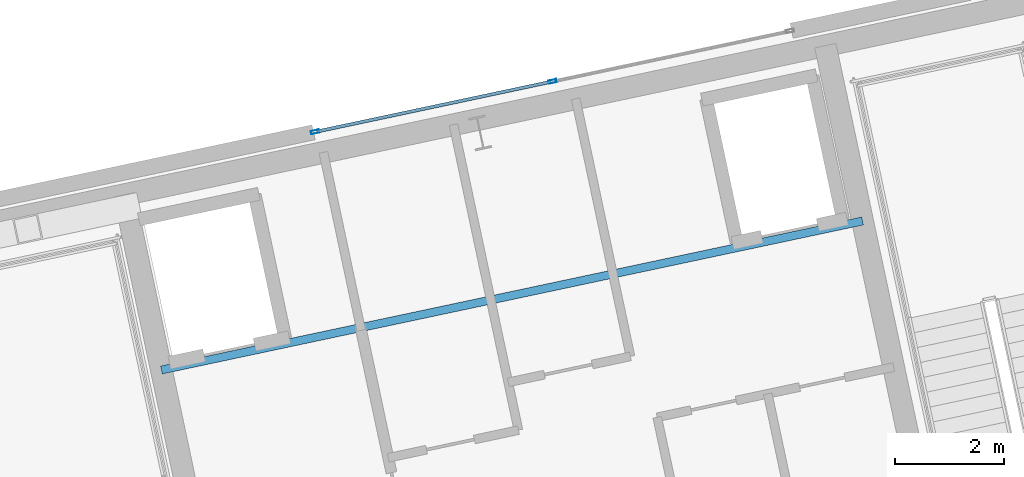
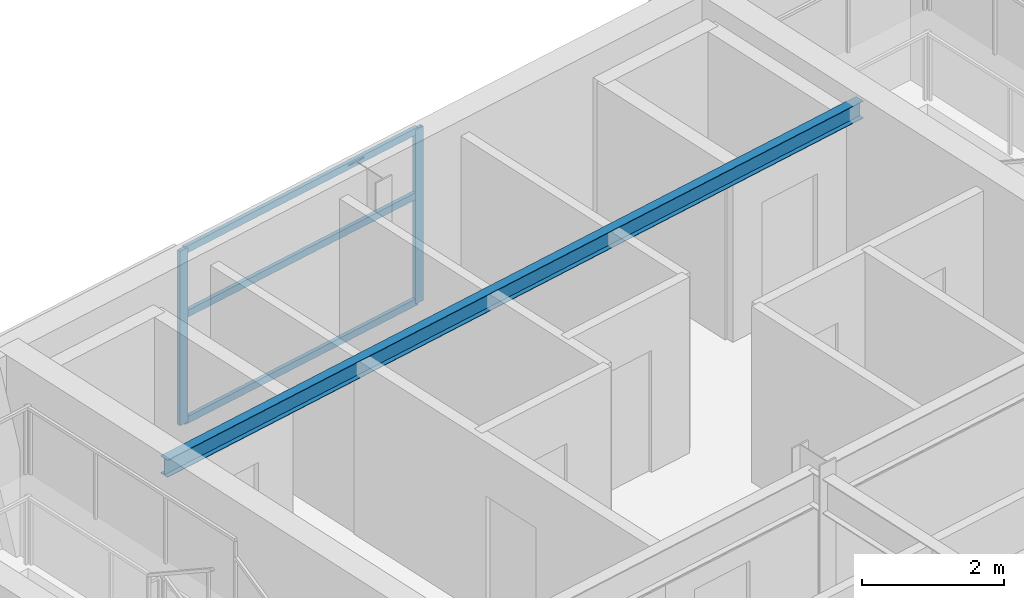
# One storey, part 5 of 19: 5 members, 1 beam, 1 element without a shape of its own.
"""IFC4 building model written with IfcOpenShell, lengths in metres."""

from ifc_helpers import new_model, si_unit, direction, frame, origin, origin_2d, place, context, subcontext, project, spatial, hollow_rectangle, i_section, extrude, material, layer, layer_set, material_profile, profile_set, type_object, element, aggregate, save


model = new_model("IFC4")

# Units and contexts
model_context = context("Model", 3, precision=1e-05, world=origin(), true_north=direction((0.0, 1.0)))
body_context = subcontext(model_context, "Body", "Model", "MODEL_VIEW")
ifc_project = project(units=[si_unit("LENGTHUNIT", "METRE"), si_unit("AREAUNIT", "SQUARE_METRE"), si_unit("VOLUMEUNIT", "CUBIC_METRE"), si_unit("PLANEANGLEUNIT", "RADIAN"), si_unit("MASSUNIT", "GRAM", prefix="KILO")], contexts=[model_context])

# Site, building, storey
site_placement = place(None, origin())
site = spatial("IfcSite", under=ifc_project, at=site_placement, CompositionType="ELEMENT")
building_placement = place(site_placement, origin())
building = spatial("IfcBuilding", under=site, at=building_placement, Name="Haevon Station Towers", CompositionType="ELEMENT")
storey_placement = place(building_placement, frame((0.0, 0.0, 218.699951171875)))
storey = spatial("IfcBuildingStorey", under=building, at=storey_placement, Name="L60", CompositionType="ELEMENT", Elevation=218.699951171875)

# Beam
ifc_material_1 = material(Name="Steel S355", Category="steel")
ifc_material_profile_1 = material_profile(ifc_material_1, i_section(OverallWidth=0.14990234375, OverallDepth=0.300048828125, WebThickness=0.006591796875, FlangeThickness=0.009033203125, at=origin_2d()), Name="H-300x150x6.5x9")
ifc_profile_set_1 = profile_set([ifc_material_profile_1], Name="Steel S355")
beam_type = type_object("IfcBeamType", Name="BM-LIN300", PredefinedType="LINTEL", material=ifc_profile_set_1)
beam_placement = place(storey_placement, frame((101.20849609375, 44.4052734375, 2.900146484375), z_axis=(0.978147802964, 0.207910739399, 0.0), x_axis=(-0.207910739399, 0.978147802964, 0.0)))
element("IfcBeam", 1, at=beam_placement, inside=storey, type_object=beam_type, Name="BM-T2LIN-L60", PredefinedType="LINTEL", context=body_context, shape_type="SweptSolid", body=[
    extrude(i_section(OverallWidth=0.14990234375, OverallDepth=0.300048828125, WebThickness=0.006591796875, FlangeThickness=0.009033203125, at=origin_2d()), origin(), (0.0, 0.0, 1.0), 13.19970703125),
])

# Curtain wall, members
ifc_material_2 = material(Name="Anodised aluminium and Low-E double glazing", Category="aluminium")
ifc_layer = layer(ifc_material_2, 0.179931640625)
ifc_layer_set = layer_set([ifc_layer], Name="Anodised aluminium and Low-E double glazing")
curtain_wall_type = type_object("IfcCurtainWallType", Name="CW-SYS5", PredefinedType="NOTDEFINED", material=ifc_layer_set)
curtain_wall_placement = place(storey_placement, origin())
curtain_wall = element("IfcCurtainWall", 2, at=curtain_wall_placement, inside=storey, type_object=curtain_wall_type, Name="L60 Curtain Wall CW-T2-L60-N", PredefinedType="NOTDEFINED")
ifc_material_3 = material(Name="Anodised aluminium 6063-T6", Category="aluminium")
ifc_material_profile_2 = material_profile(ifc_material_3, hollow_rectangle(XDim=0.06005859375, YDim=0.14990234375, WallThickness=0.00341796875, at=origin_2d()), Name="CWM-150x60x3.5")
ifc_profile_set_2 = profile_set([ifc_material_profile_2], Name="Anodised aluminium 6063-T6")
member_type_1 = type_object("IfcMemberType", Name="CWM-150", PredefinedType="MULLION", material=ifc_profile_set_2)
member_1_placement = place(storey_placement, frame((104.03857421875, 48.78955078125, 0.0), z_axis=(0.0, 0.0, 1.0), x_axis=(-0.207911783211, 0.978147581095, 0.0)))
member_1 = element("IfcMember", 3, at=member_1_placement, type_object=member_type_1, Name="CW-SYS5 mullion 1", PredefinedType="MULLION", context=body_context, shape_type="SweptSolid", body=[
    extrude(hollow_rectangle(XDim=0.06005859375, YDim=0.14990234375, WallThickness=0.00341796875, at=origin_2d()), origin(), (0.0, 0.0, 1.0), 3.0),
])
member_2_placement = place(storey_placement, frame((108.410888671875, 49.71875, 0.0), z_axis=(0.0, 0.0, 1.0), x_axis=(-0.207911783211, 0.978147581095, 0.0)))
member_2 = element("IfcMember", 4, at=member_2_placement, type_object=member_type_1, Name="CW-SYS5 mullion 2", PredefinedType="MULLION", context=body_context, shape_type="SweptSolid", body=[
    extrude(hollow_rectangle(XDim=0.06005859375, YDim=0.14990234375, WallThickness=0.00341796875, at=origin_2d()), origin(), (0.0, 0.0, 1.0), 3.0),
])
ifc_material_profile_3 = material_profile(ifc_material_3, hollow_rectangle(XDim=0.06005859375, YDim=0.1201171875, WallThickness=0.0029296875, at=origin_2d()), Name="CWT-120x60x3")
ifc_profile_set_3 = profile_set([ifc_material_profile_3], Name="Anodised aluminium 6063-T6")
member_type_2 = type_object("IfcMemberType", Name="CWT-120", PredefinedType="USERDEFINED", material=ifc_profile_set_3)
member_3_placement = place(storey_placement, frame((104.068115234375, 48.795654296875, 0.030029296875), z_axis=(0.978141400356, 0.207940859165, 0.0), x_axis=(-0.207940859165, 0.978141400356, 0.0)))
member_3 = element("IfcMember", 5, at=member_3_placement, type_object=member_type_2, Name="CW-SYS5 transom 1.1", ObjectType="TRANSOM", PredefinedType="USERDEFINED", context=body_context, shape_type="SweptSolid", body=[
    extrude(hollow_rectangle(XDim=0.06005859375, YDim=0.1201171875, WallThickness=0.0029296875, at=origin_2d()), origin(), (0.0, 0.0, 1.0), 4.409912109375),
])
member_4_placement = place(storey_placement, frame((104.068115234375, 48.795654296875, 1.860107421875), z_axis=(0.978141400356, 0.207940859165, 0.0), x_axis=(-0.207940859165, 0.978141400356, 0.0)))
member_4 = element("IfcMember", 6, at=member_4_placement, type_object=member_type_2, Name="CW-SYS5 transom 1.2", ObjectType="TRANSOM", PredefinedType="USERDEFINED", context=body_context, shape_type="SweptSolid", body=[
    extrude(hollow_rectangle(XDim=0.06005859375, YDim=0.1201171875, WallThickness=0.0029296875, at=origin_2d()), origin(), (0.0, 0.0, 1.0), 4.409912109375),
])
member_5_placement = place(storey_placement, frame((104.068115234375, 48.795654296875, 2.969970703125), z_axis=(0.978141400356, 0.207940859165, 0.0), x_axis=(-0.207940859165, 0.978141400356, 0.0)))
member_5 = element("IfcMember", 7, at=member_5_placement, type_object=member_type_2, Name="CW-SYS5 transom 1.3", ObjectType="TRANSOM", PredefinedType="USERDEFINED", context=body_context, shape_type="SweptSolid", body=[
    extrude(hollow_rectangle(XDim=0.06005859375, YDim=0.1201171875, WallThickness=0.0029296875, at=origin_2d()), origin(), (0.0, 0.0, 1.0), 4.409912109375),
])
aggregate(curtain_wall, [member_1, member_2, member_3, member_4, member_5])

save(model, "model.ifc")
